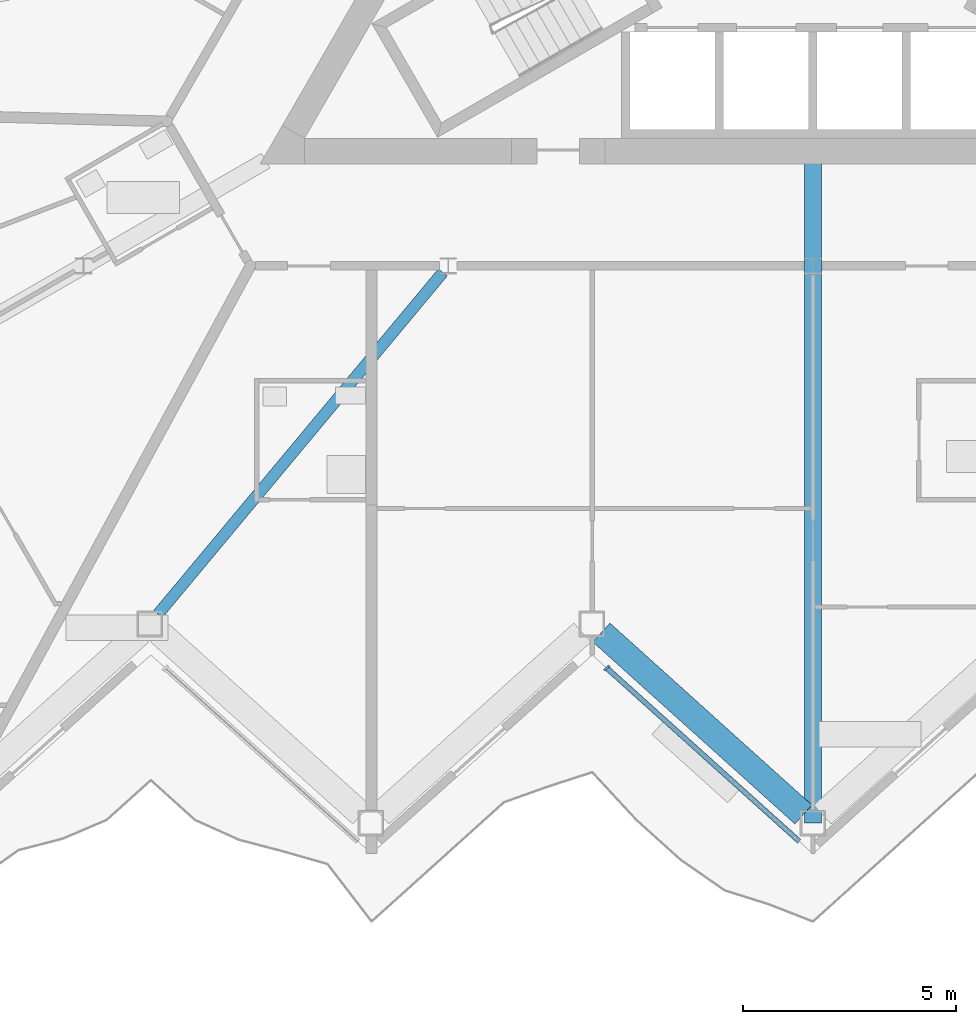
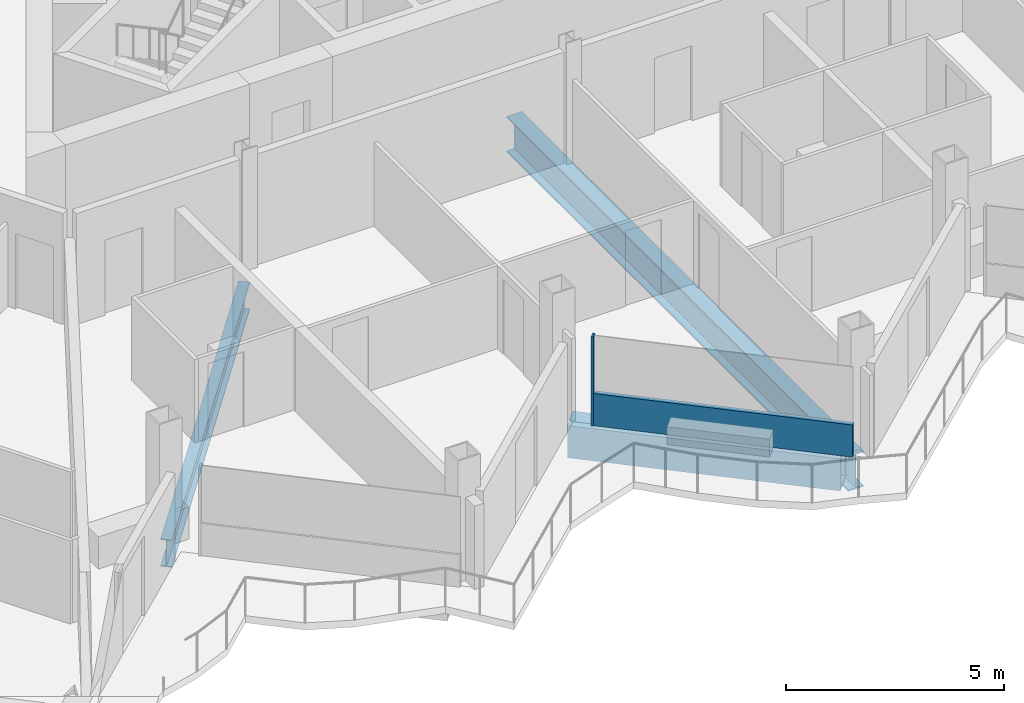
# One storey, part 5 of 28: 3 members, 2 beams, 1 element without a shape of its own.
"""IFC4 building model written with IfcOpenShell, lengths in metres."""

import ifcopenshell
import ifcopenshell.guid

model = None  # the IFC model being written
_history = None  # IfcOwnerHistory: only IFC2X3 demands one
_inside = {}  # id of a spatial element -> (the spatial element, [elements in it])
_under = {}  # id of a project, library or spatial element -> (it, [spatial elements below it])
_declared = {}  # id of a project -> (the project, [libraries it declares])
_typed = {}  # id of a type object -> (the type object, [elements of that type])
_made_of = {}  # id of a material, layer set ... -> (it, [elements and type objects made of it])


def new_model(schema):
    """Start an empty IFC model of exactly this schema.

    Asked for "IFC4X3", IfcOpenShell would pick the latest addendum, in which some entities
    have other attributes; the version numbers below select the first issue.
    IFC2X3 requires an IfcOwnerHistory on every rooted entity: one is made here for all.
    """
    global model, _history
    if schema == "IFC4X3":
        model = ifcopenshell.file(schema_version=(4, 3, 0, 0))
    else:
        model = ifcopenshell.file(schema=schema)
    _inside.clear()
    _under.clear()
    _declared.clear()
    _typed.clear()
    _made_of.clear()
    _history = None
    if model.schema == "IFC2X3":
        org = make("IfcOrganization", Name="unknown")
        user = make(
            "IfcPersonAndOrganization",
            ThePerson=make("IfcPerson", FamilyName="unknown"),
            TheOrganization=org,
        )
        app = make(
            "IfcApplication",
            ApplicationDeveloper=org,
            Version="unknown",
            ApplicationFullName="unknown",
            ApplicationIdentifier="unknown",
        )
        _history = make(
            "IfcOwnerHistory",
            OwningUser=user,
            OwningApplication=app,
            ChangeAction="ADDED",
            CreationDate=0,
        )
    return model


def make(cls, **values):
    """One entity of the class cls with the attributes given. An attribute that is None is left unset."""
    return model.create_entity(
        cls, **{name: value for name, value in values.items() if value is not None}
    )


def rooted(cls, **values):
    """An entity with a GlobalId (a new one), such as an element, a storey or a relation."""
    return make(cls, GlobalId=ifcopenshell.guid.new(), OwnerHistory=_history, **values)


def si_unit(unit_type, name, prefix=None):
    """IfcSIUnit, for example si_unit("LENGTHUNIT", "METRE", prefix="MILLI")."""
    return make("IfcSIUnit", UnitType=unit_type, Prefix=prefix, Name=name)


def assignment(units):
    """IfcUnitAssignment: the units of a project."""
    return None if units is None else make("IfcUnitAssignment", Units=units)


def point(xyz):
    """IfcCartesianPoint."""
    return None if xyz is None else make("IfcCartesianPoint", Coordinates=xyz)


def direction(xyz):
    """IfcDirection."""
    return None if xyz is None else make("IfcDirection", DirectionRatios=xyz)


def frame(location, z_axis=None, x_axis=None):
    """IfcAxis2Placement3D, a coordinate frame: its origin and axes. An axis left out is left unset."""
    return make(
        "IfcAxis2Placement3D",
        Location=point(location),
        Axis=direction(z_axis),
        RefDirection=direction(x_axis),
    )


def frame_2d(location, x_axis=None):
    """IfcAxis2Placement2D, a coordinate frame in the plane: its origin and x axis."""
    return make(
        "IfcAxis2Placement2D", Location=point(location), RefDirection=direction(x_axis)
    )


def origin():
    """The frame at (0, 0, 0) with its axes left unset."""
    return frame((0.0, 0.0, 0.0))


def origin_2d():
    """The frame at (0, 0) in the plane with its x axis left unset."""
    return frame_2d((0.0, 0.0))


def place(relative_to, where):
    """IfcLocalPlacement: puts the frame where relative to a parent placement (None: the world)."""
    return make(
        "IfcLocalPlacement", PlacementRelTo=relative_to, RelativePlacement=where
    )


def context(
    kind, dimensions, precision=None, world=None, true_north=None, identifier=None
):
    """IfcGeometricRepresentationContext, for example the 3D "Model" context."""
    return make(
        "IfcGeometricRepresentationContext",
        ContextIdentifier=identifier,
        ContextType=kind,
        CoordinateSpaceDimension=dimensions,
        Precision=precision,
        WorldCoordinateSystem=world,
        TrueNorth=true_north,
    )


def subcontext(parent, identifier, kind, view, scale=None):
    """IfcGeometricRepresentationSubContext, for example "Body" below "Model"."""
    return make(
        "IfcGeometricRepresentationSubContext",
        ContextIdentifier=identifier,
        ContextType=kind,
        ParentContext=parent,
        TargetScale=scale,
        TargetView=view,
    )


def project(units=None, contexts=None):
    """IfcProject with its units and contexts."""
    return rooted(
        "IfcProject",
        Name="project",
        RepresentationContexts=contexts,
        UnitsInContext=assignment(units),
    )


def spatial(cls, under=None, at=None, **own):
    """A site, building, storey or space (cls), placed at a placement, below another one or the project."""
    s = rooted(cls, ObjectPlacement=at, **own)
    if under is not None:
        _under.setdefault(under.id(), (under, []))[1].append(s)
    return s


def profile(cls, at=None, kind="AREA", **sizes):
    """A parametric profile (cls). Its sizes go by their IFC names, for example OverallWidth=200.0."""
    return make(cls, ProfileType=kind, Position=at, **sizes)


def rectangle(**sizes):
    """IfcRectangleProfileDef."""
    return profile("IfcRectangleProfileDef", **sizes)


def hollow_rectangle(**sizes):
    """IfcRectangleHollowProfileDef."""
    return profile("IfcRectangleHollowProfileDef", **sizes)


def i_section(**sizes):
    """IfcIShapeProfileDef."""
    return profile("IfcIShapeProfileDef", **sizes)


def extrude(swept, where, along, depth):
    """IfcExtrudedAreaSolid: the profile swept, set in the frame where, extruded along a direction by depth."""
    return make(
        "IfcExtrudedAreaSolid",
        SweptArea=swept,
        Position=where,
        ExtrudedDirection=direction(along),
        Depth=depth,
    )


def shape(context_of_items, identifier, shape_type, items):
    """IfcShapeRepresentation: the items that make up one representation, for example the "Body"."""
    return make(
        "IfcShapeRepresentation",
        ContextOfItems=context_of_items,
        RepresentationIdentifier=identifier,
        RepresentationType=shape_type,
        Items=items,
    )


def material(Name=None, Category=None):
    """IfcMaterial."""
    return make("IfcMaterial", Name=Name, Category=Category)


def layer(
    of_material, thickness, ventilated=None, Name=None, Category=None, Priority=None
):
    """IfcMaterialLayer: one layer of a wall or slab, of a material (None: an air gap)."""
    return make(
        "IfcMaterialLayer",
        Material=of_material,
        LayerThickness=thickness,
        IsVentilated=ventilated,
        Name=Name,
        Category=Category,
        Priority=Priority,
    )


def layer_set(layers, Name=None):
    """IfcMaterialLayerSet."""
    return make("IfcMaterialLayerSet", MaterialLayers=layers, LayerSetName=Name)


def material_profile(
    of_material, cross_section, Name=None, Category=None, Priority=None
):
    """IfcMaterialProfile: a cross section and its material."""
    return make(
        "IfcMaterialProfile",
        Name=Name,
        Material=of_material,
        Profile=cross_section,
        Priority=Priority,
        Category=Category,
    )


def profile_set(profiles, Name=None, composite=None):
    """IfcMaterialProfileSet."""
    return make(
        "IfcMaterialProfileSet",
        Name=Name,
        MaterialProfiles=profiles,
        CompositeProfile=composite,
    )


def made_of(thing, what):
    """Note that an element or type object is made of a material, layer set ...; save() writes the relation."""
    if what is not None:
        _made_of.setdefault(what.id(), (what, []))[1].append(thing)
    return thing


def type_object(cls, material=None, **own):
    """A type object (cls), such as IfcWallType, which elements share."""
    return made_of(rooted(cls, **own), material)


def element(
    cls,
    number,
    at=None,
    inside=None,
    cuts=None,
    type_object=None,
    material=None,
    context=None,
    identifier="Body",
    shape_type=None,
    held_by="IfcProductDefinitionShape",
    body=None,
    shapes=None,
    **own,
):
    """One element of the class cls, such as IfcWall. Its Tag is "e" and its number.

    at: its placement. inside: the storey or other place that contains it. cuts: it is an
    opening in that element (IfcRelVoidsElement). A single representation is given by context,
    identifier, shape_type and body (its items); several are given by shapes. held_by: the class
    of the entity that holds the representations. save() writes the other relations.
    """
    e = rooted(cls, Tag="e%d" % number, ObjectPlacement=at, **own)
    if body is not None:
        shapes = [shape(context, identifier, shape_type, body)]
    if shapes is not None:
        e.Representation = make(held_by, Representations=shapes)
    if inside is not None:
        _inside.setdefault(inside.id(), (inside, []))[1].append(e)
    if cuts is not None:
        rooted(
            "IfcRelVoidsElement", RelatingBuildingElement=cuts, RelatedOpeningElement=e
        )
    if type_object is not None:
        _typed.setdefault(type_object.id(), (type_object, []))[1].append(e)
    return made_of(e, material)


def aggregate(whole, parts):
    """IfcRelAggregates: a whole, such as a stair, and the parts it consists of."""
    return rooted("IfcRelAggregates", RelatingObject=whole, RelatedObjects=parts)


def save(model, path):
    """Write the relations noted so far, then the file.

    IfcRelAggregates (storeys below a building ...), IfcRelContainedInSpatialStructure (elements
    in a storey), IfcRelDefinesByType, IfcRelAssociatesMaterial and IfcRelDeclares: one each for
    every whole, place, type object, material and project.
    """
    for whole, parts in _under.values():
        aggregate(whole, parts)
    for where, things in _inside.values():
        rooted(
            "IfcRelContainedInSpatialStructure",
            RelatedElements=things,
            RelatingStructure=where,
        )
    for kind, things in _typed.values():
        rooted("IfcRelDefinesByType", RelatedObjects=things, RelatingType=kind)
    for what, things in _made_of.values():
        rooted("IfcRelAssociatesMaterial", RelatedObjects=things, RelatingMaterial=what)
    for by, libraries in _declared.values():
        rooted("IfcRelDeclares", RelatingContext=by, RelatedDefinitions=libraries)
    model.write(path)


model = new_model("IFC4")

# Units and contexts
model_context = context("Model", 3, precision=1e-05, world=origin(), true_north=direction((0.0, 1.0)))
body_context = subcontext(model_context, "Body", "Model", "MODEL_VIEW")
ifc_project = project(units=[si_unit("LENGTHUNIT", "METRE"), si_unit("AREAUNIT", "SQUARE_METRE"), si_unit("VOLUMEUNIT", "CUBIC_METRE"), si_unit("PLANEANGLEUNIT", "RADIAN"), si_unit("MASSUNIT", "GRAM", prefix="KILO")], contexts=[model_context])

# Site, building, storey
site_placement = place(None, origin())
site = spatial("IfcSite", under=ifc_project, at=site_placement, CompositionType="ELEMENT")
building_placement = place(site_placement, origin())
building = spatial("IfcBuilding", under=site, at=building_placement, Name="Cormorant Prow Tower", CompositionType="ELEMENT")
storey_placement = place(building_placement, frame((0.0, 0.0, 301.800048828125)))
storey = spatial("IfcBuildingStorey", under=building, at=storey_placement, Name="L65", CompositionType="ELEMENT", Elevation=301.800048828125)

# Beam
ifc_material_1 = material(Name="Structural steel ASTM A572 Gr 50", Category="steel")
ifc_material_profile_1 = material_profile(ifc_material_1, hollow_rectangle(XDim=0.60009765625, YDim=0.89990234375, WallThickness=0.06005859375, at=origin_2d()), Name="Box 900x600x60")
ifc_profile_set_1 = profile_set([ifc_material_profile_1], Name="Structural steel ASTM A572 Gr 50")
beam_type_1 = type_object("IfcBeamType", Name="Belt truss top chord 900x600x60", PredefinedType="BEAM", material=ifc_profile_set_1)
beam_1_placement = place(storey_placement, frame((-4.97607421875, -18.527587890625, -0.75), z_axis=(0.743144186555, -0.669131315954, 0.0), x_axis=(0.669131315954, 0.743144186555, 0.0)))
element("IfcBeam", 1, at=beam_1_placement, inside=storey, type_object=beam_type_1, Name="Belt truss top chord TC2 S04-S05 L65", PredefinedType="BEAM", context=body_context, shape_type="SweptSolid", body=[
    extrude(hollow_rectangle(XDim=0.60009765625, YDim=0.89990234375, WallThickness=0.06005859375, at=origin_2d()), origin(), (0.0, 0.0, 1.0), 6.39599609375),
])

# Member
ifc_material_2 = material(Name="Structural steel ASTM A992 Gr 50", Category="steel")
ifc_material_profile_2 = material_profile(ifc_material_2, i_section(OverallWidth=0.39990234375, OverallDepth=1.000244140625, WebThickness=0.01904296875, FlangeThickness=0.0361328125, at=origin_2d()), Name="W40x249")
ifc_profile_set_2 = profile_set([ifc_material_profile_2], Name="Structural steel ASTM A992 Gr 50")
member_type_1 = type_object("IfcMemberType", Name="Outrigger chord W40x249", PredefinedType="CHORD", material=ifc_profile_set_2)
member_1_placement = place(storey_placement, frame((0.0, -7.35546875, -0.80029296875), z_axis=(0.0, -1.0, 0.0), x_axis=(1.0, 0.0, 0.0)))
element("IfcMember", 2, at=member_1_placement, inside=storey, type_object=member_type_1, Name="Outrigger top chord 4 L65", PredefinedType="CHORD", context=body_context, shape_type="SweptSolid", body=[
    extrude(i_section(OverallWidth=0.39990234375, OverallDepth=1.000244140625, WebThickness=0.01904296875, FlangeThickness=0.0361328125, at=origin_2d()), origin(), (0.0, 0.0, 1.0), 15.652587890625),
])

# Beam
ifc_material_3 = material(Name="Structural steel ASTM A992 Gr 50", Category="steel")
ifc_material_profile_3 = material_profile(ifc_material_3, i_section(OverallWidth=0.267822265625, OverallDepth=0.77001953125, WebThickness=0.015625, FlangeThickness=0.025390625, at=origin_2d()), Name="W30x132")
ifc_profile_set_3 = profile_set([ifc_material_profile_3], Name="Structural steel ASTM A992 Gr 50")
beam_type_2 = type_object("IfcBeamType", Name="Radial floor beam W30x132", PredefinedType="BEAM", material=ifc_profile_set_3)
beam_2_placement = place(storey_placement, frame((-8.705078125, -10.057373046875, -0.68505859375), z_axis=(-0.640239469619, -0.768175384624, 0.0), x_axis=(0.768175384624, -0.640239469619, 0.0)))
element("IfcBeam", 3, at=beam_2_placement, inside=storey, type_object=beam_type_2, Name="Radial floor beam FB3 6 L65", PredefinedType="BEAM", context=body_context, shape_type="SweptSolid", body=[
    extrude(i_section(OverallWidth=0.267822265625, OverallDepth=0.77001953125, WebThickness=0.015625, FlangeThickness=0.025390625, at=origin_2d()), origin(), (0.0, 0.0, 1.0), 10.465087890625),
])

# Curtain wall, members
ifc_material_4 = material(Name="Aluminium 6063-T6", Category="aluminium")
ifc_layer = layer(ifc_material_4, 0.159912109375)
ifc_layer_set = layer_set([ifc_layer], Name="Aluminium 6063-T6")
curtain_wall_type = type_object("IfcCurtainWallType", Name="Residential unitised curtain wall 160", PredefinedType="NOTDEFINED", material=ifc_layer_set)
curtain_wall_placement = place(storey_placement, origin())
curtain_wall = element("IfcCurtainWall", 4, at=curtain_wall_placement, inside=storey, type_object=curtain_wall_type, Name="Residential curtain wall S04", PredefinedType="NOTDEFINED")
ifc_material_5 = material(Name="Aluminium 6063-T6", Category="aluminium")
ifc_material_profile_4 = material_profile(ifc_material_5, rectangle(XDim=0.159912109375, YDim=0.050048828125, at=origin_2d()), Name="Residential mullion 50x160")
ifc_profile_set_4 = profile_set([ifc_material_profile_4], Name="Aluminium 6063-T6")
member_type_2 = type_object("IfcMemberType", Name="Residential mullion 50x160", PredefinedType="MULLION", material=ifc_profile_set_4)
member_2_placement = place(storey_placement, frame((-4.849853515625, -19.362060546875, 0.0), z_axis=(0.0, 0.0, 1.0), x_axis=(0.669130584997, 0.743144844712, 0.0)))
member_2 = element("IfcMember", 5, at=member_2_placement, type_object=member_type_2, Name="Residential mullion S04", PredefinedType="MULLION", context=body_context, shape_type="SweptSolid", body=[
    extrude(rectangle(XDim=0.159912109375, YDim=0.050048828125, at=origin_2d()), origin(), (0.0, 0.0, 1.0), 2.48779296875),
])
ifc_material_6 = material(Name="Terracotta", Category="masonry")
ifc_material_profile_5 = material_profile(ifc_material_6, rectangle(XDim=0.1201171875, YDim=0.89990234375, at=origin_2d()), Name="Residential terracotta spandrel rail 120x900")
ifc_profile_set_5 = profile_set([ifc_material_profile_5], Name="Terracotta")
member_type_3 = type_object("IfcMemberType", Name="Residential terracotta spandrel rail 120x900", PredefinedType="USERDEFINED", material=ifc_profile_set_5)
member_3_placement = place(storey_placement, frame((-4.831298828125, -19.37890625, 0.449951171875), z_axis=(0.74315806971, -0.669115896856, 0.0), x_axis=(0.669115896856, 0.74315806971, 0.0)))
member_3 = element("IfcMember", 6, at=member_3_placement, type_object=member_type_3, Name="Residential spandrel rail S04", ObjectType="TRANSOM", PredefinedType="USERDEFINED", context=body_context, shape_type="SweptSolid", body=[
    extrude(rectangle(XDim=0.1201171875, YDim=0.89990234375, at=origin_2d()), origin(), (0.0, 0.0, 1.0), 6.067138671875),
])
aggregate(curtain_wall, [member_2, member_3])

save(model, "model.ifc")
